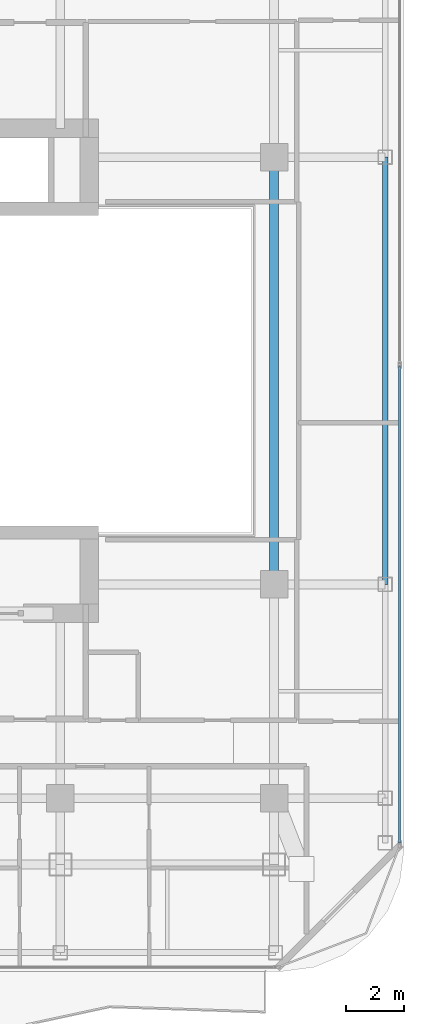
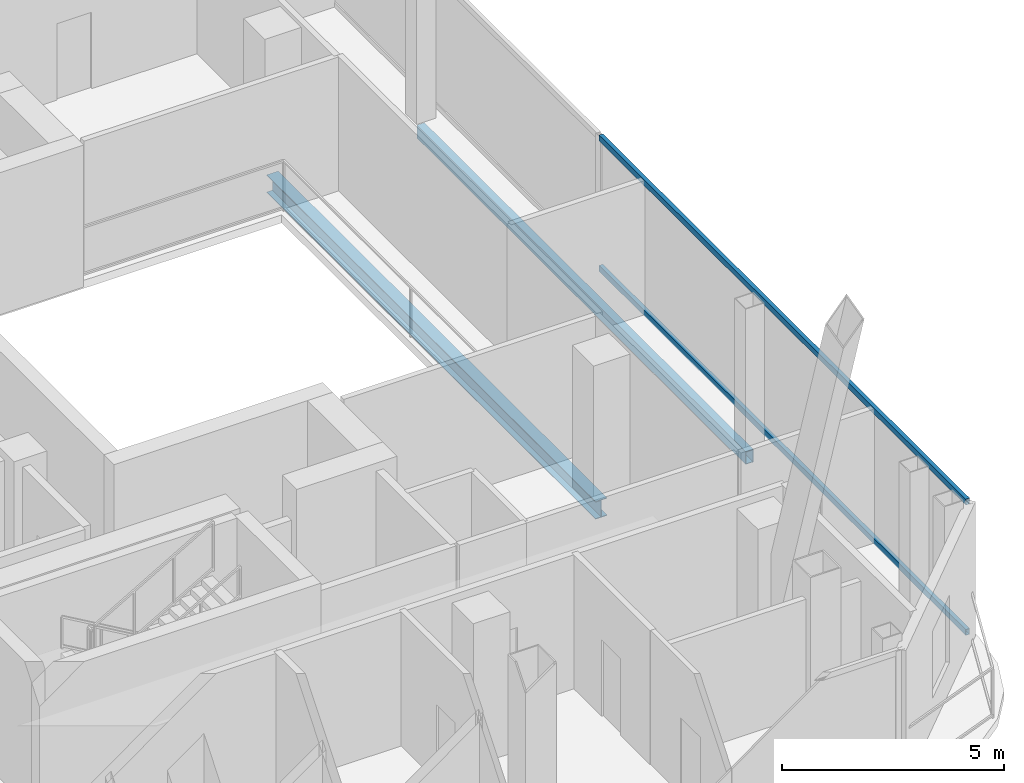
# One storey, part 9 of 24: 2 beams, 2 members, 1 element without a shape of its own.
"""IFC4 building model written with IfcOpenShell, lengths in metres."""

from ifc_helpers import new_model, si_unit, direction, frame, origin, origin_2d, place, context, subcontext, project, spatial, hollow_rectangle, i_section, extrude, material, layer, layer_set, material_profile, profile_set, type_object, element, aggregate, save


model = new_model("IFC4")

# Units and contexts
model_context = context("Model", 3, precision=1e-05, world=origin(), true_north=direction((0.0, 1.0)))
body_context = subcontext(model_context, "Body", "Model", "MODEL_VIEW")
ifc_project = project(units=[si_unit("LENGTHUNIT", "METRE"), si_unit("AREAUNIT", "SQUARE_METRE"), si_unit("VOLUMEUNIT", "CUBIC_METRE"), si_unit("PLANEANGLEUNIT", "RADIAN"), si_unit("MASSUNIT", "GRAM", prefix="KILO")], contexts=[model_context])

# Site, building, storey
site_placement = place(None, origin())
site = spatial("IfcSite", under=ifc_project, at=site_placement, CompositionType="ELEMENT")
building_placement = place(site_placement, origin())
building = spatial("IfcBuilding", under=site, at=building_placement, Name="Khorvyn Point Tower", CompositionType="ELEMENT")
storey_placement = place(building_placement, frame((0.0, 0.0, 301.5)))
storey = spatial("IfcBuildingStorey", under=building, at=storey_placement, Name="L74", CompositionType="ELEMENT", Elevation=301.5)

# Curtain wall, members
ifc_material_1 = material(Name="Anodised aluminium 6063-T6 and laminated Low-E glass", Category="aluminium")
ifc_layer = layer(ifc_material_1, 0.18994140625)
ifc_layer_set = layer_set([ifc_layer], Name="Stick-Built High-Wind Curtain Wall CW-SYS-04")
curtain_wall_type = type_object("IfcCurtainWallType", Name="Stick-Built High-Wind Curtain Wall CW-SYS-04", PredefinedType="NOTDEFINED", material=ifc_layer_set)
curtain_wall_placement = place(storey_placement, origin())
curtain_wall = element("IfcCurtainWall", 1, at=curtain_wall_placement, inside=storey, type_object=curtain_wall_type, Name="Curtain Wall", PredefinedType="NOTDEFINED")
ifc_material_2 = material(Name="Anodised aluminium 6063-T6", Category="aluminium")
ifc_material_profile_1 = material_profile(ifc_material_2, hollow_rectangle(XDim=0.10009765625, YDim=0.159912109375, WallThickness=0.00439453125, at=origin_2d()))
ifc_profile_set_1 = profile_set([ifc_material_profile_1], Name="Anodised aluminium 6063-T6 ALU-TRN-100x160")
member_type = type_object("IfcMemberType", Name="Anodised Aluminium 6063-T6 Transom ALU-TRN-100x160", PredefinedType="USERDEFINED", material=ifc_profile_set_1)
member_1_placement = place(storey_placement, frame((19.14990234375, 0.14990234375, 0.050048828125), z_axis=(0.0, -1.0, 0.0), x_axis=(1.0, 0.0, 0.0)))
member_1 = element("IfcMember", 2, at=member_1_placement, type_object=member_type, Name="Transom", ObjectType="TRANSOM", PredefinedType="USERDEFINED", context=body_context, shape_type="SweptSolid", body=[
    extrude(hollow_rectangle(XDim=0.10009765625, YDim=0.159912109375, WallThickness=0.00439453125, at=origin_2d()), origin(), (0.0, 0.0, 1.0), 16.5),
])
member_2_placement = place(storey_placement, frame((19.14990234375, 0.14990234375, 3.6298828125), z_axis=(0.0, -1.0, 0.0), x_axis=(1.0, 0.0, 0.0)))
member_2 = element("IfcMember", 3, at=member_2_placement, type_object=member_type, Name="Transom", ObjectType="TRANSOM", PredefinedType="USERDEFINED", context=body_context, shape_type="SweptSolid", body=[
    extrude(hollow_rectangle(XDim=0.10009765625, YDim=0.159912109375, WallThickness=0.00439453125, at=origin_2d()), origin(), (0.0, 0.0, 1.0), 16.5),
])
aggregate(curtain_wall, [member_1, member_2])

# Beams
ifc_material_3 = material(Name="Steel S355", Category="steel")
ifc_material_profile_2 = material_profile(ifc_material_3, i_section(OverallWidth=0.300048828125, OverallDepth=0.488037109375, WebThickness=0.010986328125, FlangeThickness=0.01806640625, at=origin_2d()))
ifc_profile_set_2 = profile_set([ifc_material_profile_2], Name="Steel S355 H488x300x11x18")
beam_type_1 = type_object("IfcBeamType", Name="Steel S355 Spandrel H488x300x11x18", PredefinedType="SPANDREL", material=ifc_profile_set_2)
beam_1_placement = place(storey_placement, frame((14.800048828125, -7.39990234375, -0.464111328125), z_axis=(0.0, 1.0, 0.0), x_axis=(-1.0, 0.0, 0.0)))
element("IfcBeam", 4, at=beam_1_placement, inside=storey, type_object=beam_type_1, Name="Beam", PredefinedType="SPANDREL", context=body_context, shape_type="SweptSolid", body=[
    extrude(i_section(OverallWidth=0.300048828125, OverallDepth=0.488037109375, WebThickness=0.010986328125, FlangeThickness=0.01806640625, at=origin_2d()), origin(), (0.0, 0.0, 1.0), 14.7998046875),
])
ifc_material_profile_3 = material_profile(ifc_material_3, hollow_rectangle(XDim=0.199951171875, YDim=0.35009765625, WallThickness=0.013916015625, at=origin_2d()))
ifc_profile_set_3 = profile_set([ifc_material_profile_3], Name="Steel S355 RHS350x200x14")
beam_type_2 = type_object("IfcBeamType", Name="Steel S355 Spandrel RHS350x200x14", PredefinedType="SPANDREL", material=ifc_profile_set_3)
beam_2_placement = place(storey_placement, frame((18.64990234375, -7.39990234375, -0.39501953125), z_axis=(0.0, 1.0, 0.0), x_axis=(-1.0, 0.0, 0.0)))
element("IfcBeam", 5, at=beam_2_placement, inside=storey, type_object=beam_type_2, Name="Beam", PredefinedType="SPANDREL", context=body_context, shape_type="SweptSolid", body=[
    extrude(hollow_rectangle(XDim=0.199951171875, YDim=0.35009765625, WallThickness=0.013916015625, at=origin_2d()), origin(), (0.0, 0.0, 1.0), 14.7998046875),
])

save(model, "model.ifc")
